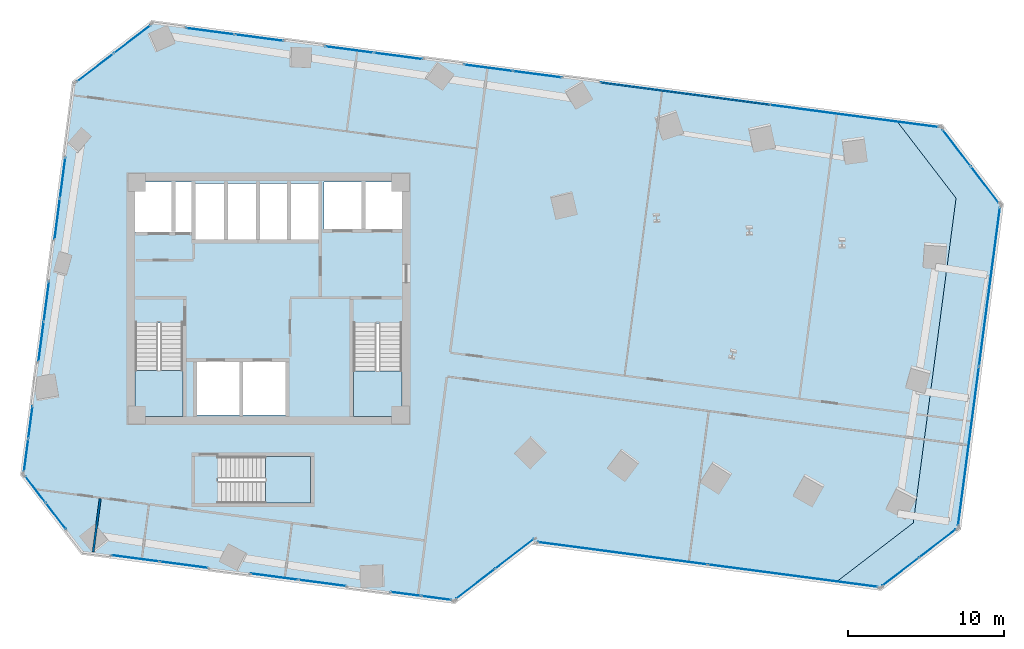
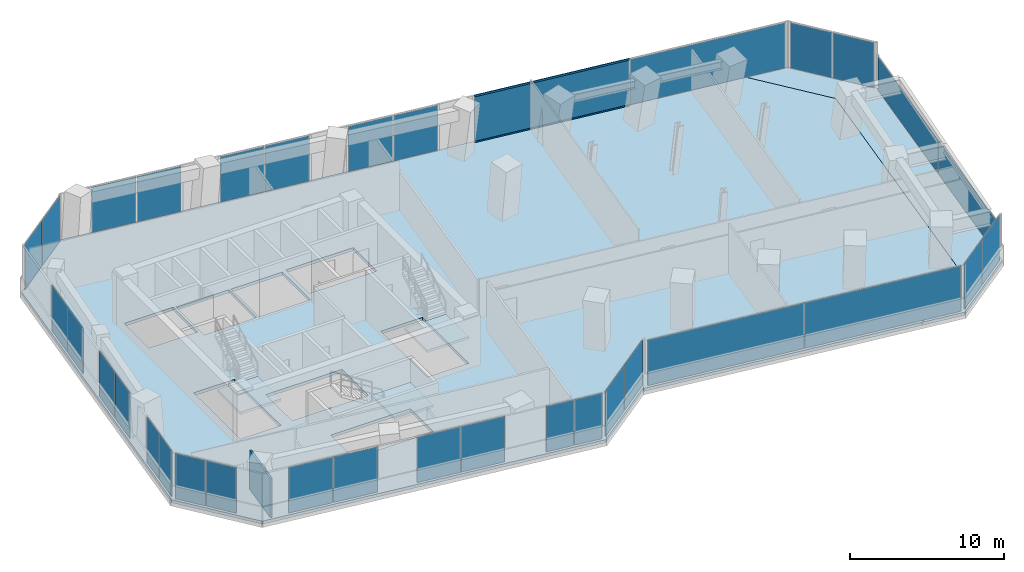
# One storey, part 18 of 24: 34 plates, 5 slabs, 2 members, 1 wall, 20 elements without a shape of their own.
"""IFC4 building model written with IfcOpenShell, lengths in metres."""

from ifc_helpers import new_model, si_unit, direction, frame, frame_2d, origin, origin_2d, place, context, subcontext, project, spatial, polyline, rectangle, hollow_rectangle, outline, extrude, source, transform, mapped, material, layer, layer_set, material_profile, profile_set, type_object, element, aggregate, save


model = new_model("IFC4")

# Units and contexts
model_context = context("Model", 3, precision=1e-05, world=origin(), true_north=direction((0.0, 1.0)))
body_context = subcontext(model_context, "Body", "Model", "MODEL_VIEW")
ifc_project = project(units=[si_unit("LENGTHUNIT", "METRE"), si_unit("AREAUNIT", "SQUARE_METRE"), si_unit("VOLUMEUNIT", "CUBIC_METRE"), si_unit("PLANEANGLEUNIT", "RADIAN"), si_unit("MASSUNIT", "GRAM", prefix="KILO")], contexts=[model_context])

# Site, building, storey
site_placement = place(None, origin())
site = spatial("IfcSite", under=ifc_project, at=site_placement, CompositionType="ELEMENT")
building_placement = place(site_placement, origin())
building = spatial("IfcBuilding", under=site, at=building_placement, Name="Torre Montelarca", CompositionType="ELEMENT")
storey_placement = place(building_placement, frame((0.0, 0.0, 66.39990234375)))
storey = spatial("IfcBuildingStorey", under=building, at=storey_placement, Name="L14", CompositionType="ELEMENT", Elevation=66.39990234375)

# Curtain wall, members
ifc_material_1 = material(Name="Insulated low-E laminated glass", Category="glass")
curtain_wall_type = type_object("IfcCurtainWallType", Name="CW-SYS-Z1", PredefinedType="USERDEFINED", material=ifc_material_1)
curtain_wall_1_placement = place(storey_placement, origin())
curtain_wall_1 = element("IfcCurtainWall", 1, at=curtain_wall_1_placement, inside=storey, type_object=curtain_wall_type, Name="L14 Curtain Wall Run CW-T3-L14-E08-B1", ObjectType="UNITISED GLAZING", PredefinedType="USERDEFINED")
ifc_material_2 = material(Name="Anodised aluminium AA 6063-T6", Category="aluminium")
ifc_material_profile = material_profile(ifc_material_2, hollow_rectangle(XDim=0.06494140625, YDim=0.139892578125, WallThickness=0.00390625, InnerFilletRadius=0.00390625, OuterFilletRadius=0.008056640625, at=origin_2d()), Name="ALU65X140X4", Category="aluminium")
ifc_profile_set = profile_set([ifc_material_profile], Name="Anodised aluminium AA 6063-T6")
member_type = type_object("IfcMemberType", Name="CWT-ALU140", PredefinedType="USERDEFINED", material=ifc_profile_set)
shared_shape_1 = source(origin(), body_context, "Body", "SweptSolid", [
    extrude(hollow_rectangle(XDim=0.06494140625, YDim=0.139892578125, WallThickness=0.00390625, InnerFilletRadius=0.00390625, OuterFilletRadius=0.008056640625, at=origin_2d()), origin(), (0.0, 0.0, 1.0), 10.872802734375),
])
member_1_placement = place(storey_placement, frame((50.10009765625, 44.443359375, 0.03271484375), z_axis=(-0.991444815981, 0.130526537014, 0.0), x_axis=(-0.130526537014, -0.991444815981, 0.0)))
member_1 = element("IfcMember", 2, at=member_1_placement, type_object=member_type, Name="CW transom 2.1", ObjectType="TRANSOM", PredefinedType="USERDEFINED", context=body_context, shape_type="MappedRepresentation", body=[
    mapped(shared_shape_1, transform((0.0, 0.0, 0.0), scale=1.0)),
])
member_2_placement = place(storey_placement, frame((50.10009765625, 44.443359375, 3.6875), z_axis=(-0.991444815981, 0.130526537014, 0.0), x_axis=(-0.130526537014, -0.991444815981, 0.0)))
member_2 = element("IfcMember", 3, at=member_2_placement, type_object=member_type, Name="CW transom 2.2", ObjectType="TRANSOM", PredefinedType="USERDEFINED", context=body_context, shape_type="MappedRepresentation", body=[
    mapped(shared_shape_1, transform((0.0, 0.0, 0.0), scale=1.0)),
])

# Slabs
ifc_material_3 = material(Name="Concrete C40/50", Category="concrete")
ifc_layer_1 = layer(ifc_material_3, 0.239990234375, Name="Concrete C40/50", Category="concrete")
ifc_layer_set_1 = layer_set([ifc_layer_1], Name="Concrete C40/50")
slab_type_1 = type_object("IfcSlabType", Name="SL-FLR-240", PredefinedType="FLOOR", material=ifc_layer_set_1)
slab_1_placement = place(storey_placement, frame((0.0, 0.0, -0.239990234375)))
element("IfcSlab", 4, at=slab_1_placement, inside=storey, type_object=slab_type_1, Name="L14 Structural Floor Slab", PredefinedType="FLOOR", context=body_context, shape_type="SweptSolid", body=[
    extrude(outline(polyline([(29.93115234375, 12.532958984375), (34.97998046875, 16.406982421875), (34.967041015625, 16.30810546875), (54.30029296875, 13.7626953125), (59.34912109375, 17.63671875), (62.090087890625, 38.457275390625), (58.2158203125, 43.506103515625), (10.527587890625, 49.784423828125), (5.478515625, 45.91015625), (2.1630859375, 20.7275390625), (6.037353515625, 15.6787109375), (29.93115234375, 12.532958984375)]), holes=[polyline([(20.699951171875, 18.89990234375), (14.760009765625, 18.89990234375), (14.760009765625, 21.889892578125), (20.699951171875, 21.889892578125), (20.699951171875, 18.89990234375)]), polyline([(19.10009765625, 24.550048828125), (13.39990234375, 24.550048828125), (13.39990234375, 27.949951171875), (19.10009765625, 27.949951171875), (19.10009765625, 24.550048828125)]), polyline([(23.43994140625, 24.449951171875), (23.43994140625, 30.429931640625), (26.550048828125, 30.429931640625), (26.550048828125, 24.449951171875), (23.43994140625, 24.449951171875)]), polyline([(9.449951171875, 24.449951171875), (9.449951171875, 30.4599609375), (12.5, 30.4599609375), (12.5, 24.449951171875), (9.449951171875, 24.449951171875)]), polyline([(17.25, 35.800048828125), (13.300048828125, 35.800048828125), (13.300048828125, 39.39990234375), (17.25, 39.39990234375), (17.25, 35.800048828125)]), polyline([(21.25, 35.800048828125), (17.39990234375, 35.800048828125), (17.39990234375, 39.39990234375), (21.25, 39.39990234375), (21.25, 35.800048828125)]), polyline([(13.1201171875, 36.300048828125), (9.449951171875, 36.300048828125), (9.449951171875, 39.5), (13.1201171875, 39.5), (13.1201171875, 36.300048828125)]), polyline([(26.60009765625, 36.449951171875), (21.550048828125, 36.449951171875), (21.550048828125, 39.5), (26.60009765625, 39.5), (26.60009765625, 36.449951171875)])]), origin(), (0.0, 0.0, 1.0), 0.239990234375),
])
slab_2_placement = place(storey_placement, frame((0.0, 0.0, -0.239990234375)))
element("IfcSlab", 5, at=slab_2_placement, inside=storey, type_object=slab_type_1, Name="L14 Sliding Tray Winter Garden Floor Slab E1", PredefinedType="FLOOR", context=body_context, shape_type="SweptSolid", body=[
    extrude(outline(polyline([(58.2158203125, 43.506103515625), (62.090087890625, 38.457275390625), (59.34912109375, 17.63671875), (54.30029296875, 13.7626953125), (57.2744140625, 13.37109375), (62.323486328125, 17.245361328125), (65.064453125, 38.065673828125), (61.190185546875, 43.114501953125), (58.2158203125, 43.506103515625)])), origin(), (0.0, 0.0, 1.0), 0.239990234375),
])

# Stair, slab
stair_type_1 = type_object("IfcStairType", Name="ST-CORE-ST1", PredefinedType="HALF_TURN_STAIR", material=ifc_material_3)
stair_1_placement = place(storey_placement, origin())
stair_1 = element("IfcStair", 6, at=stair_1_placement, inside=storey, type_object=stair_type_1, Name="L14 Protected Exit Stair ST1", PredefinedType="HALF_TURN_STAIR")
ifc_layer_2 = layer(ifc_material_3, 0.199951171875, Name="Concrete C40/50", Category="concrete")
ifc_layer_set_2 = layer_set([ifc_layer_2], Name="Concrete C40/50")
slab_type_2 = type_object("IfcSlabType", Name="SL-ST-LAND-ST1", PredefinedType="LANDING", material=ifc_layer_set_2)
slab_3_placement = place(storey_placement, frame((0.0, 0.0, 1.900146484375)))
slab_3 = element("IfcSlab", 7, at=slab_3_placement, type_object=slab_type_2, Name="ST1 landing 1", PredefinedType="LANDING", context=body_context, shape_type="SweptSolid", body=[
    extrude(outline(polyline([(9.449951171875, 27.419921875), (9.449951171875, 24.449951171875), (12.5, 24.449951171875), (12.5, 27.419921875), (9.449951171875, 27.419921875)])), origin(), (0.0, 0.0, 1.0), 0.199951171875),
])
aggregate(stair_1, [slab_3])

stair_type_2 = type_object("IfcStairType", Name="ST-CORE-ST2", PredefinedType="HALF_TURN_STAIR", material=ifc_material_3)
stair_2_placement = place(storey_placement, origin())
stair_2 = element("IfcStair", 8, at=stair_2_placement, inside=storey, type_object=stair_type_2, Name="L14 Protected Exit Stair ST2", PredefinedType="HALF_TURN_STAIR")
ifc_layer_3 = layer(ifc_material_3, 0.199951171875, Name="Concrete C40/50", Category="concrete")
ifc_layer_set_3 = layer_set([ifc_layer_3], Name="Concrete C40/50")
slab_type_3 = type_object("IfcSlabType", Name="SL-ST-LAND-ST2", PredefinedType="LANDING", material=ifc_layer_set_3)
slab_4_placement = place(storey_placement, frame((0.0, 0.0, 1.900146484375)))
slab_4 = element("IfcSlab", 9, at=slab_4_placement, type_object=slab_type_3, Name="ST2 landing 1", PredefinedType="LANDING", context=body_context, shape_type="SweptSolid", body=[
    extrude(outline(polyline([(23.43994140625, 27.389892578125), (23.43994140625, 24.449951171875), (26.550048828125, 24.449951171875), (26.550048828125, 27.389892578125), (23.43994140625, 27.389892578125)])), origin(), (0.0, 0.0, 1.0), 0.199951171875),
])
aggregate(stair_2, [slab_4])

stair_type_3 = type_object("IfcStairType", Name="ST-CORE-ST3", PredefinedType="HALF_TURN_STAIR", material=ifc_material_3)
stair_3_placement = place(storey_placement, origin())
stair_3 = element("IfcStair", 10, at=stair_3_placement, inside=storey, type_object=stair_type_3, Name="L14 Low-Rise Exit Stair ST3", PredefinedType="HALF_TURN_STAIR")
ifc_layer_4 = layer(ifc_material_3, 0.199951171875, Name="Concrete C40/50", Category="concrete")
ifc_layer_set_4 = layer_set([ifc_layer_4], Name="Concrete C40/50")
slab_type_4 = type_object("IfcSlabType", Name="SL-ST-LAND-ST3", PredefinedType="LANDING", material=ifc_layer_set_4)
slab_5_placement = place(storey_placement, frame((0.0, 0.0, 1.900146484375)))
slab_5 = element("IfcSlab", 11, at=slab_5_placement, type_object=slab_type_4, Name="ST3 landing 1", PredefinedType="LANDING", context=body_context, shape_type="SweptSolid", body=[
    extrude(outline(polyline([(17.800048828125, 18.89990234375), (20.699951171875, 18.89990234375), (20.699951171875, 21.889892578125), (17.800048828125, 21.889892578125), (17.800048828125, 18.89990234375)])), origin(), (0.0, 0.0, 1.0), 0.199951171875),
])
aggregate(stair_3, [slab_5])

# Curtain wall, plates
curtain_wall_2_placement = place(storey_placement, origin())
curtain_wall_2 = element("IfcCurtainWall", 12, at=curtain_wall_2_placement, inside=storey, type_object=curtain_wall_type, Name="L14 Curtain Wall Run CW-T3-L14-E01-B1", ObjectType="UNITISED GLAZING", PredefinedType="USERDEFINED")
ifc_layer_5 = layer(ifc_material_1, 0.028076171875, Name="Insulated low-E laminated glass", Category="glass")
ifc_layer_set_5 = layer_set([ifc_layer_5], Name="Insulated low-E laminated glass")
plate_type = type_object("IfcPlateType", Name="CWP-GLZ-28", PredefinedType="CURTAIN_PANEL", material=ifc_layer_set_5)
shared_shape_2 = source(origin(), body_context, "Body", "SweptSolid", [
    extrude(rectangle(XDim=3.085205078125, YDim=0.028076171875, at=origin_2d()), origin(), (0.0, 0.0, 1.0), 3.590087890625),
])
plate_1_placement = place(storey_placement, frame((9.462646484375, 15.35888671875, 0.06494140625), z_axis=(0.0, 0.0, 1.0), x_axis=(0.991446326625, -0.130515062051, 0.0)))
plate_1 = element("IfcPlate", 13, at=plate_1_placement, type_object=plate_type, Name="CW panel 1.1", PredefinedType="CURTAIN_PANEL", context=body_context, shape_type="MappedRepresentation", body=[
    mapped(shared_shape_2, transform((0.0, 0.0, 0.0), scale=1.0)),
])
plate_2_placement = place(storey_placement, frame((12.5859375, 14.947509765625, 0.06494140625), z_axis=(0.0, 0.0, 1.0), x_axis=(0.991446326625, -0.130515062051, 0.0)))
plate_2 = element("IfcPlate", 14, at=plate_2_placement, type_object=plate_type, Name="CW panel 2.1", PredefinedType="CURTAIN_PANEL", context=body_context, shape_type="MappedRepresentation", body=[
    mapped(shared_shape_2, transform((0.0, 0.0, 0.0), scale=1.0)),
])
aggregate(curtain_wall_2, [plate_1, plate_2])

curtain_wall_3_placement = place(storey_placement, origin())
curtain_wall_3 = element("IfcCurtainWall", 15, at=curtain_wall_3_placement, inside=storey, type_object=curtain_wall_type, Name="L14 Curtain Wall Run CW-T3-L14-E01-B2", ObjectType="UNITISED GLAZING", PredefinedType="USERDEFINED")
shared_shape_3 = source(origin(), body_context, "Body", "SweptSolid", [
    extrude(rectangle(XDim=3.046630859375, YDim=0.028076171875, at=origin_2d()), origin(), (0.0, 0.0, 1.0), 3.590087890625),
])
plate_3_placement = place(storey_placement, frame((18.366455078125, 14.1865234375, 0.06494140625), z_axis=(0.0, 0.0, 1.0), x_axis=(0.991447203633, -0.130508399765, 0.0)))
plate_3 = element("IfcPlate", 16, at=plate_3_placement, type_object=plate_type, Name="CW panel 1.1", PredefinedType="CURTAIN_PANEL", context=body_context, shape_type="MappedRepresentation", body=[
    mapped(shared_shape_3, transform((0.0, 0.0, 0.0), scale=1.0)),
])
plate_4_placement = place(storey_placement, frame((21.45166015625, 13.780517578125, 0.06494140625), z_axis=(0.0, 0.0, 1.0), x_axis=(0.991447203633, -0.130508399765, 0.0)))
plate_4 = element("IfcPlate", 17, at=plate_4_placement, type_object=plate_type, Name="CW panel 2.1", PredefinedType="CURTAIN_PANEL", context=body_context, shape_type="MappedRepresentation", body=[
    mapped(shared_shape_3, transform((0.0, 0.0, 0.0), scale=1.0)),
])
aggregate(curtain_wall_3, [plate_3, plate_4])

curtain_wall_4_placement = place(storey_placement, origin())
curtain_wall_4 = element("IfcCurtainWall", 18, at=curtain_wall_4_placement, inside=storey, type_object=curtain_wall_type, Name="L14 Curtain Wall Run CW-T3-L14-E01-B3", ObjectType="UNITISED GLAZING", PredefinedType="USERDEFINED")
shared_shape_4 = source(origin(), body_context, "Body", "SweptSolid", [
    extrude(rectangle(XDim=1.917236328125, YDim=0.028076171875, at=origin_2d()), origin(), (0.0, 0.0, 1.0), 3.590087890625),
])
plate_5_placement = place(storey_placement, frame((26.8037109375, 13.075927734375, 0.06494140625), z_axis=(0.0, 0.0, 1.0), x_axis=(0.991445677051, -0.13051999639, 0.0)))
plate_5 = element("IfcPlate", 19, at=plate_5_placement, type_object=plate_type, Name="CW panel 1.1", PredefinedType="CURTAIN_PANEL", context=body_context, shape_type="MappedRepresentation", body=[
    mapped(shared_shape_4, transform((0.0, 0.0, 0.0), scale=1.0)),
])
plate_6_placement = place(storey_placement, frame((28.76904296875, 12.817138671875, 0.06494140625), z_axis=(0.0, 0.0, 1.0), x_axis=(0.991445677051, -0.13051999639, 0.0)))
plate_6 = element("IfcPlate", 20, at=plate_6_placement, type_object=plate_type, Name="CW panel 2.1", PredefinedType="CURTAIN_PANEL", context=body_context, shape_type="MappedRepresentation", body=[
    mapped(shared_shape_4, transform((0.0, 0.0, 0.0), scale=1.0)),
])
aggregate(curtain_wall_4, [plate_5, plate_6])

curtain_wall_5_placement = place(storey_placement, origin())
curtain_wall_5 = element("IfcCurtainWall", 21, at=curtain_wall_5_placement, inside=storey, type_object=curtain_wall_type, Name="L14 Curtain Wall Run CW-T3-L14-E02-B1", ObjectType="UNITISED GLAZING", PredefinedType="USERDEFINED")
shared_shape_5 = source(origin(), body_context, "Body", "SweptSolid", [
    extrude(rectangle(XDim=3.102294921875, YDim=0.028076171875, at=origin_2d()), origin(), (0.0, 0.0, 1.0), 3.590087890625),
])
plate_7_placement = place(storey_placement, frame((31.265869140625, 13.720947265625, 0.06494140625), z_axis=(0.0, 0.0, 1.0), x_axis=(0.793357061953, 0.608756578814, 0.0)))
plate_7 = element("IfcPlate", 22, at=plate_7_placement, type_object=plate_type, Name="CW panel 1.1", PredefinedType="CURTAIN_PANEL", context=body_context, shape_type="MappedRepresentation", body=[
    mapped(shared_shape_5, transform((0.0, 0.0, 0.0), scale=1.0)),
])
plate_8_placement = place(storey_placement, frame((33.778564453125, 15.649169921875, 0.06494140625), z_axis=(0.0, 0.0, 1.0), x_axis=(0.793357061953, 0.608756578814, 0.0)))
plate_8 = element("IfcPlate", 23, at=plate_8_placement, type_object=plate_type, Name="CW panel 2.1", PredefinedType="CURTAIN_PANEL", context=body_context, shape_type="MappedRepresentation", body=[
    mapped(shared_shape_5, transform((0.0, 0.0, 0.0), scale=1.0)),
])
aggregate(curtain_wall_5, [plate_7, plate_8])

curtain_wall_6_placement = place(storey_placement, origin())
curtain_wall_6 = element("IfcCurtainWall", 24, at=curtain_wall_6_placement, inside=storey, type_object=curtain_wall_type, Name="L14 Curtain Wall Run CW-T3-L14-E04-B1", ObjectType="UNITISED GLAZING", PredefinedType="USERDEFINED")
shared_shape_6 = source(origin(), body_context, "Body", "SweptSolid", [
    extrude(rectangle(XDim=10.94873046875, YDim=0.028076171875, at=origin_2d()), origin(), (0.0, 0.0, 1.0), 3.590087890625),
])
plate_9_placement = place(storey_placement, frame((40.7158203125, 15.68212890625, 0.06494140625), z_axis=(0.0, 0.0, 1.0), x_axis=(0.991445588591, -0.130520668339, 0.0)))
plate_9 = element("IfcPlate", 25, at=plate_9_placement, type_object=plate_type, Name="CW panel 1.1", PredefinedType="CURTAIN_PANEL", context=body_context, shape_type="MappedRepresentation", body=[
    mapped(shared_shape_6, transform((0.0, 0.0, 0.0), scale=1.0)),
])
plate_10_placement = place(storey_placement, frame((51.63525390625, 14.24462890625, 0.06494140625), z_axis=(0.0, 0.0, 1.0), x_axis=(0.991445588591, -0.130520668339, 0.0)))
plate_10 = element("IfcPlate", 26, at=plate_10_placement, type_object=plate_type, Name="CW panel 2.1", PredefinedType="CURTAIN_PANEL", context=body_context, shape_type="MappedRepresentation", body=[
    mapped(shared_shape_6, transform((0.0, 0.0, 0.0), scale=1.0)),
])
aggregate(curtain_wall_6, [plate_9, plate_10])

curtain_wall_7_placement = place(storey_placement, origin())
curtain_wall_7 = element("IfcCurtainWall", 27, at=curtain_wall_7_placement, inside=storey, type_object=curtain_wall_type, Name="L14 Curtain Wall Run CW-T3-L14-E05-B1", ObjectType="UNITISED GLAZING", PredefinedType="USERDEFINED")
shared_shape_7 = source(origin(), body_context, "Body", "SweptSolid", [
    extrude(rectangle(XDim=2.918701171875, YDim=0.028076171875, at=origin_2d()), origin(), (0.0, 0.0, 1.0), 3.590087890625),
])
plate_11_placement = place(storey_placement, frame((58.5361328125, 14.503173828125, 0.06494140625), z_axis=(0.0, 0.0, 1.0), x_axis=(0.793351218581, 0.608764194066, 0.0)))
plate_11 = element("IfcPlate", 28, at=plate_11_placement, type_object=plate_type, Name="CW panel 1.1", PredefinedType="CURTAIN_PANEL", context=body_context, shape_type="MappedRepresentation", body=[
    mapped(shared_shape_7, transform((0.0, 0.0, 0.0), scale=1.0)),
])
plate_12_placement = place(storey_placement, frame((60.9033203125, 16.319580078125, 0.06494140625), z_axis=(0.0, 0.0, 1.0), x_axis=(0.793351218581, 0.608764194066, 0.0)))
plate_12 = element("IfcPlate", 29, at=plate_12_placement, type_object=plate_type, Name="CW panel 2.1", PredefinedType="CURTAIN_PANEL", context=body_context, shape_type="MappedRepresentation", body=[
    mapped(shared_shape_7, transform((0.0, 0.0, 0.0), scale=1.0)),
])
aggregate(curtain_wall_7, [plate_11, plate_12])

curtain_wall_8_placement = place(storey_placement, origin())
curtain_wall_8 = element("IfcCurtainWall", 30, at=curtain_wall_8_placement, inside=storey, type_object=curtain_wall_type, Name="L14 Curtain Wall Run CW-T3-L14-E07-B1", ObjectType="UNITISED GLAZING", PredefinedType="USERDEFINED")
plate_13_placement = place(storey_placement, frame((63.932373046875, 39.327392578125, 0.06494140625), z_axis=(0.0, 0.0, 1.0), x_axis=(-0.608753760122, 0.793359224776, 0.0)))
plate_13 = element("IfcPlate", 31, at=plate_13_placement, type_object=plate_type, Name="CW panel 1.1", PredefinedType="CURTAIN_PANEL", context=body_context, shape_type="MappedRepresentation", body=[
    mapped(shared_shape_7, transform((0.0, 0.0, 0.0), scale=1.0)),
])
plate_14_placement = place(storey_placement, frame((62.115966796875, 41.6943359375, 0.06494140625), z_axis=(0.0, 0.0, 1.0), x_axis=(-0.608753760122, 0.793359224776, 0.0)))
plate_14 = element("IfcPlate", 32, at=plate_14_placement, type_object=plate_type, Name="CW panel 2.1", PredefinedType="CURTAIN_PANEL", context=body_context, shape_type="MappedRepresentation", body=[
    mapped(shared_shape_7, transform((0.0, 0.0, 0.0), scale=1.0)),
])
aggregate(curtain_wall_8, [plate_13, plate_14])

curtain_wall_9_placement = place(storey_placement, origin())
curtain_wall_9 = element("IfcCurtainWall", 33, at=curtain_wall_9_placement, inside=storey, type_object=curtain_wall_type, Name="L14 Curtain Wall Run CW-T3-L14-E09-B1", ObjectType="UNITISED GLAZING", PredefinedType="USERDEFINED")
plate_15_placement = place(storey_placement, frame((9.265869140625, 48.65234375, 0.06494140625), z_axis=(0.0, 0.0, 1.0), x_axis=(-0.793351218581, -0.608764194066, 0.0)))
plate_15 = element("IfcPlate", 34, at=plate_15_placement, type_object=plate_type, Name="CW panel 1.1", PredefinedType="CURTAIN_PANEL", context=body_context, shape_type="MappedRepresentation", body=[
    mapped(shared_shape_7, transform((0.0, 0.0, 0.0), scale=1.0)),
])
plate_16_placement = place(storey_placement, frame((6.898681640625, 46.8359375, 0.06494140625), z_axis=(0.0, 0.0, 1.0), x_axis=(-0.793351218581, -0.608764194066, 0.0)))
plate_16 = element("IfcPlate", 35, at=plate_16_placement, type_object=plate_type, Name="CW panel 2.1", PredefinedType="CURTAIN_PANEL", context=body_context, shape_type="MappedRepresentation", body=[
    mapped(shared_shape_7, transform((0.0, 0.0, 0.0), scale=1.0)),
])
aggregate(curtain_wall_9, [plate_15, plate_16])

curtain_wall_10_placement = place(storey_placement, origin())
curtain_wall_10 = element("IfcCurtainWall", 36, at=curtain_wall_10_placement, inside=storey, type_object=curtain_wall_type, Name="L14 Curtain Wall Run CW-T3-L14-E06-B1", ObjectType="UNITISED GLAZING", PredefinedType="USERDEFINED")
shared_shape_8 = source(origin(), body_context, "Body", "SweptSolid", [
    extrude(rectangle(XDim=10.236572265625, YDim=0.028076171875, at=origin_2d()), origin(), (0.0, 0.0, 1.0), 2.64501953125),
])
plate_17_placement = place(storey_placement, frame((62.892822265625, 22.565673828125, 0.065185546875), z_axis=(0.0, 0.0, 1.0), x_axis=(0.130518718127, 0.991445845328, 0.0)))
plate_17 = element("IfcPlate", 37, at=plate_17_placement, type_object=plate_type, Name="CW panel 1.1", PredefinedType="CURTAIN_PANEL", context=body_context, shape_type="MappedRepresentation", body=[
    mapped(shared_shape_8, transform((0.0, 0.0, 0.0), scale=1.0)),
])
plate_18_placement = place(storey_placement, frame((64.2373046875, 32.779296875, 0.065185546875), z_axis=(0.0, 0.0, 1.0), x_axis=(0.130518718127, 0.991445845328, 0.0)))
plate_18 = element("IfcPlate", 38, at=plate_18_placement, type_object=plate_type, Name="CW panel 2.1", PredefinedType="CURTAIN_PANEL", context=body_context, shape_type="MappedRepresentation", body=[
    mapped(shared_shape_8, transform((0.0, 0.0, 0.0), scale=1.0)),
])
aggregate(curtain_wall_10, [plate_17, plate_18])

# Plate
shared_shape_9 = source(origin(), body_context, "Body", "SweptSolid", [
    extrude(rectangle(XDim=10.872802734375, YDim=0.028076171875, at=origin_2d()), origin(), (0.0, 0.0, 1.0), 3.590087890625),
])
plate_19_placement = place(storey_placement, frame((55.554443359375, 43.725341796875, 0.06494140625), z_axis=(0.0, 0.0, 1.0), x_axis=(-0.991445078306, 0.130524544449, 0.0)))
plate_19 = element("IfcPlate", 39, at=plate_19_placement, type_object=plate_type, Name="CW panel 1.1", PredefinedType="CURTAIN_PANEL", context=body_context, shape_type="MappedRepresentation", body=[
    mapped(shared_shape_9, transform((0.0, 0.0, 0.0), scale=1.0)),
])

plate_20_placement = place(storey_placement, frame((44.710205078125, 45.153076171875, 0.06494140625), z_axis=(0.0, 0.0, 1.0), x_axis=(-0.991445078306, 0.130524544449, 0.0)))
plate_20 = element("IfcPlate", 40, at=plate_20_placement, type_object=plate_type, Name="CW panel 2.1", PredefinedType="CURTAIN_PANEL", context=body_context, shape_type="MappedRepresentation", body=[
    mapped(shared_shape_9, transform((0.0, 0.0, 0.0), scale=1.0)),
])

aggregate(curtain_wall_1, [plate_19, member_1, member_2, plate_20])

# Curtain wall, plates
curtain_wall_11_placement = place(storey_placement, origin())
curtain_wall_11 = element("IfcCurtainWall", 41, at=curtain_wall_11_placement, inside=storey, type_object=curtain_wall_type, Name="L14 Curtain Wall Run CW-T3-L14-E08-B2", ObjectType="UNITISED GLAZING", PredefinedType="USERDEFINED")
shared_shape_10 = source(origin(), body_context, "Body", "SweptSolid", [
    extrude(rectangle(XDim=3.10791015625, YDim=0.028076171875, at=origin_2d()), origin(), (0.0, 0.0, 1.0), 3.590087890625),
])
plate_21_placement = place(storey_placement, frame((35.248046875, 46.398681640625, 0.06494140625), z_axis=(0.0, 0.0, 1.0), x_axis=(-0.991444257983, 0.13053077535, 0.0)))
plate_21 = element("IfcPlate", 42, at=plate_21_placement, type_object=plate_type, Name="CW panel 1.1", PredefinedType="CURTAIN_PANEL", context=body_context, shape_type="MappedRepresentation", body=[
    mapped(shared_shape_10, transform((0.0, 0.0, 0.0), scale=1.0)),
])
plate_22_placement = place(storey_placement, frame((32.102294921875, 46.81298828125, 0.06494140625), z_axis=(0.0, 0.0, 1.0), x_axis=(-0.991444257983, 0.13053077535, 0.0)))
plate_22 = element("IfcPlate", 43, at=plate_22_placement, type_object=plate_type, Name="CW panel 2.1", PredefinedType="CURTAIN_PANEL", context=body_context, shape_type="MappedRepresentation", body=[
    mapped(shared_shape_10, transform((0.0, 0.0, 0.0), scale=1.0)),
])
aggregate(curtain_wall_11, [plate_21, plate_22])

curtain_wall_12_placement = place(storey_placement, origin())
curtain_wall_12 = element("IfcCurtainWall", 44, at=curtain_wall_12_placement, inside=storey, type_object=curtain_wall_type, Name="L14 Curtain Wall Run CW-T3-L14-E08-B3", ObjectType="UNITISED GLAZING", PredefinedType="USERDEFINED")
shared_shape_11 = source(origin(), body_context, "Body", "SweptSolid", [
    extrude(rectangle(XDim=3.10693359375, YDim=0.028076171875, at=origin_2d()), origin(), (0.0, 0.0, 1.0), 3.590087890625),
])
plate_23_placement = place(storey_placement, frame((26.32568359375, 47.573486328125, 0.06494140625), z_axis=(0.0, 0.0, 1.0), x_axis=(-0.991444998773, 0.130525148565, 0.0)))
plate_23 = element("IfcPlate", 45, at=plate_23_placement, type_object=plate_type, Name="CW panel 1.1", PredefinedType="CURTAIN_PANEL", context=body_context, shape_type="MappedRepresentation", body=[
    mapped(shared_shape_11, transform((0.0, 0.0, 0.0), scale=1.0)),
])
plate_24_placement = place(storey_placement, frame((23.180908203125, 47.987548828125, 0.06494140625), z_axis=(0.0, 0.0, 1.0), x_axis=(-0.991444998773, 0.130525148565, 0.0)))
plate_24 = element("IfcPlate", 46, at=plate_24_placement, type_object=plate_type, Name="CW panel 2.1", PredefinedType="CURTAIN_PANEL", context=body_context, shape_type="MappedRepresentation", body=[
    mapped(shared_shape_11, transform((0.0, 0.0, 0.0), scale=1.0)),
])
aggregate(curtain_wall_12, [plate_23, plate_24])

curtain_wall_13_placement = place(storey_placement, origin())
curtain_wall_13 = element("IfcCurtainWall", 47, at=curtain_wall_13_placement, inside=storey, type_object=curtain_wall_type, Name="L14 Curtain Wall Run CW-T3-L14-E08-B4", ObjectType="UNITISED GLAZING", PredefinedType="USERDEFINED")
shared_shape_12 = source(origin(), body_context, "Body", "SweptSolid", [
    extrude(rectangle(XDim=3.105712890625, YDim=0.028076171875, at=origin_2d()), origin(), (0.0, 0.0, 1.0), 3.590087890625),
])
plate_25_placement = place(storey_placement, frame((17.403076171875, 48.748046875, 0.06494140625), z_axis=(0.0, 0.0, 1.0), x_axis=(-0.991445208176, 0.130523557966, 0.0)))
plate_25 = element("IfcPlate", 48, at=plate_25_placement, type_object=plate_type, Name="CW panel 1.1", PredefinedType="CURTAIN_PANEL", context=body_context, shape_type="MappedRepresentation", body=[
    mapped(shared_shape_12, transform((0.0, 0.0, 0.0), scale=1.0)),
])
plate_26_placement = place(storey_placement, frame((14.259521484375, 49.161865234375, 0.06494140625), z_axis=(0.0, 0.0, 1.0), x_axis=(-0.991445208176, 0.130523557966, 0.0)))
plate_26 = element("IfcPlate", 49, at=plate_26_placement, type_object=plate_type, Name="CW panel 2.1", PredefinedType="CURTAIN_PANEL", context=body_context, shape_type="MappedRepresentation", body=[
    mapped(shared_shape_12, transform((0.0, 0.0, 0.0), scale=1.0)),
])
aggregate(curtain_wall_13, [plate_25, plate_26])

curtain_wall_14_placement = place(storey_placement, origin())
curtain_wall_14 = element("IfcCurtainWall", 50, at=curtain_wall_14_placement, inside=storey, type_object=curtain_wall_type, Name="L14 Curtain Wall Run CW-T3-L14-E10-B1", ObjectType="UNITISED GLAZING", PredefinedType="USERDEFINED")
shared_shape_13 = source(origin(), body_context, "Body", "SweptSolid", [
    extrude(rectangle(XDim=2.588623046875, YDim=0.028076171875, at=origin_2d()), origin(), (0.0, 0.0, 1.0), 3.590087890625),
])
plate_27_placement = place(storey_placement, frame((4.799560546875, 39.7568359375, 0.06494140625), z_axis=(0.0, 0.0, 1.0), x_axis=(-0.13053829302, -0.991443268198, 0.0)))
plate_27 = element("IfcPlate", 51, at=plate_27_placement, type_object=plate_type, Name="CW panel 1.1", PredefinedType="CURTAIN_PANEL", context=body_context, shape_type="MappedRepresentation", body=[
    mapped(shared_shape_13, transform((0.0, 0.0, 0.0), scale=1.0)),
])
plate_28_placement = place(storey_placement, frame((4.453125, 37.125732421875, 0.06494140625), z_axis=(0.0, 0.0, 1.0), x_axis=(-0.13053829302, -0.991443268198, 0.0)))
plate_28 = element("IfcPlate", 52, at=plate_28_placement, type_object=plate_type, Name="CW panel 2.1", PredefinedType="CURTAIN_PANEL", context=body_context, shape_type="MappedRepresentation", body=[
    mapped(shared_shape_13, transform((0.0, 0.0, 0.0), scale=1.0)),
])
aggregate(curtain_wall_14, [plate_27, plate_28])

curtain_wall_15_placement = place(storey_placement, origin())
curtain_wall_15 = element("IfcCurtainWall", 53, at=curtain_wall_15_placement, inside=storey, type_object=curtain_wall_type, Name="L14 Curtain Wall Run CW-T3-L14-E10-B2", ObjectType="UNITISED GLAZING", PredefinedType="USERDEFINED")
shared_shape_14 = source(origin(), body_context, "Body", "SweptSolid", [
    extrude(rectangle(XDim=2.55029296875, YDim=0.028076171875, at=origin_2d()), origin(), (0.0, 0.0, 1.0), 3.590087890625),
])
plate_29_placement = place(storey_placement, frame((3.7578125, 31.84423828125, 0.06494140625), z_axis=(0.0, 0.0, 1.0), x_axis=(-0.130525831588, -0.991444908852, 0.0)))
plate_29 = element("IfcPlate", 54, at=plate_29_placement, type_object=plate_type, Name="CW panel 1.1", PredefinedType="CURTAIN_PANEL", context=body_context, shape_type="MappedRepresentation", body=[
    mapped(shared_shape_14, transform((0.0, 0.0, 0.0), scale=1.0)),
])
plate_30_placement = place(storey_placement, frame((3.41650390625, 29.25146484375, 0.06494140625), z_axis=(0.0, 0.0, 1.0), x_axis=(-0.130525831588, -0.991444908852, 0.0)))
plate_30 = element("IfcPlate", 55, at=plate_30_placement, type_object=plate_type, Name="CW panel 2.1", PredefinedType="CURTAIN_PANEL", context=body_context, shape_type="MappedRepresentation", body=[
    mapped(shared_shape_14, transform((0.0, 0.0, 0.0), scale=1.0)),
])
aggregate(curtain_wall_15, [plate_29, plate_30])

curtain_wall_16_placement = place(storey_placement, origin())
curtain_wall_16 = element("IfcCurtainWall", 56, at=curtain_wall_16_placement, inside=storey, type_object=curtain_wall_type, Name="L14 Curtain Wall Run CW-T3-L14-E10-B3", ObjectType="UNITISED GLAZING", PredefinedType="USERDEFINED")
shared_shape_15 = source(origin(), body_context, "Body", "SweptSolid", [
    extrude(rectangle(XDim=2.067138671875, YDim=0.028076171875, at=origin_2d()), origin(), (0.0, 0.0, 1.0), 3.590087890625),
])
plate_31_placement = place(storey_placement, frame((2.7353515625, 24.077880859375, 0.06494140625), z_axis=(0.0, 0.0, 1.0), x_axis=(-0.130508289054, -0.991447218206, 0.0)))
plate_31 = element("IfcPlate", 57, at=plate_31_placement, type_object=plate_type, Name="CW panel 1.1", PredefinedType="CURTAIN_PANEL", context=body_context, shape_type="MappedRepresentation", body=[
    mapped(shared_shape_15, transform((0.0, 0.0, 0.0), scale=1.0)),
])
plate_32_placement = place(storey_placement, frame((2.457275390625, 21.964111328125, 0.06494140625), z_axis=(0.0, 0.0, 1.0), x_axis=(-0.130508289054, -0.991447218206, 0.0)))
plate_32 = element("IfcPlate", 58, at=plate_32_placement, type_object=plate_type, Name="CW panel 2.1", PredefinedType="CURTAIN_PANEL", context=body_context, shape_type="MappedRepresentation", body=[
    mapped(shared_shape_15, transform((0.0, 0.0, 0.0), scale=1.0)),
])
aggregate(curtain_wall_16, [plate_31, plate_32])

curtain_wall_17_placement = place(storey_placement, origin())
curtain_wall_17 = element("IfcCurtainWall", 59, at=curtain_wall_17_placement, inside=storey, type_object=curtain_wall_type, Name="L14 Curtain Wall Run CW-T3-L14-E11-B1", ObjectType="UNITISED GLAZING", PredefinedType="USERDEFINED")
shared_shape_16 = source(origin(), body_context, "Body", "SweptSolid", [
    extrude(rectangle(XDim=2.10107421875, YDim=0.028076171875, at=origin_2d()), origin(), (0.0, 0.0, 1.0), 3.590087890625),
])
plate_33_placement = place(storey_placement, frame((3.04638671875, 19.7900390625, 0.06494140625), z_axis=(0.0, 0.0, 1.0), x_axis=(0.608758537912, -0.7933555587, 0.0)))
plate_33 = element("IfcPlate", 60, at=plate_33_placement, type_object=plate_type, Name="CW panel 1.1", PredefinedType="CURTAIN_PANEL", context=body_context, shape_type="MappedRepresentation", body=[
    mapped(shared_shape_16, transform((0.0, 0.0, 0.0), scale=1.0)),
])
plate_34_placement = place(storey_placement, frame((4.364990234375, 18.071533203125, 0.06494140625), z_axis=(0.0, 0.0, 1.0), x_axis=(0.608758537912, -0.7933555587, 0.0)))
plate_34 = element("IfcPlate", 61, at=plate_34_placement, type_object=plate_type, Name="CW panel 2.1", PredefinedType="CURTAIN_PANEL", context=body_context, shape_type="MappedRepresentation", body=[
    mapped(shared_shape_16, transform((0.0, 0.0, 0.0), scale=1.0)),
])
aggregate(curtain_wall_17, [plate_33, plate_34])

# Wall
ifc_material_4 = material(Name="Gypsum plasterboard on steel stud", Category="steel")
ifc_layer_6 = layer(ifc_material_4, 0.135009765625, Name="Gypsum plasterboard on steel stud", Category="steel")
ifc_layer_set_6 = layer_set([ifc_layer_6], Name="Gypsum plasterboard on steel stud")
wall_type = type_object("IfcWallType", Name="PW-PART-135", PredefinedType="PARTITIONING", material=ifc_layer_set_6)
wall_placement = place(storey_placement, frame((6.7548828125, 15.765869140625, 0.0), z_axis=(0.0, 0.0, 1.0), x_axis=(0.130518214887, 0.991445911577, 0.0)))
element("IfcWall", 62, at=wall_placement, inside=storey, type_object=wall_type, Name="L14 Interior Partition W-L14-WCD", PredefinedType="PARTITIONING", context=body_context, shape_type="SweptSolid", body=[
    extrude(rectangle(XDim=3.469970703125, YDim=0.135009765625, at=frame_2d((1.73486328125, 0.0))), origin(), (0.0, 0.0, 1.0), 3.09521484375),
])

save(model, "model.ifc")
